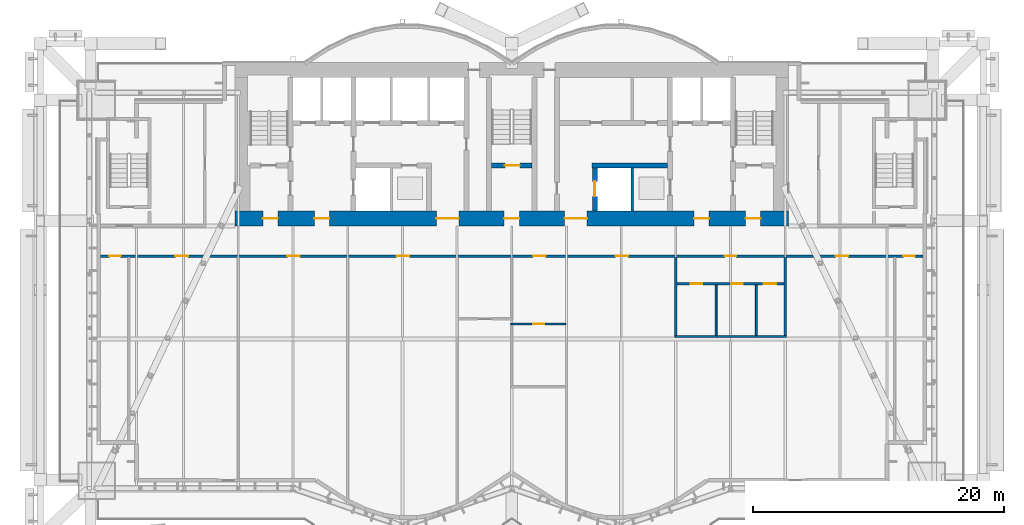
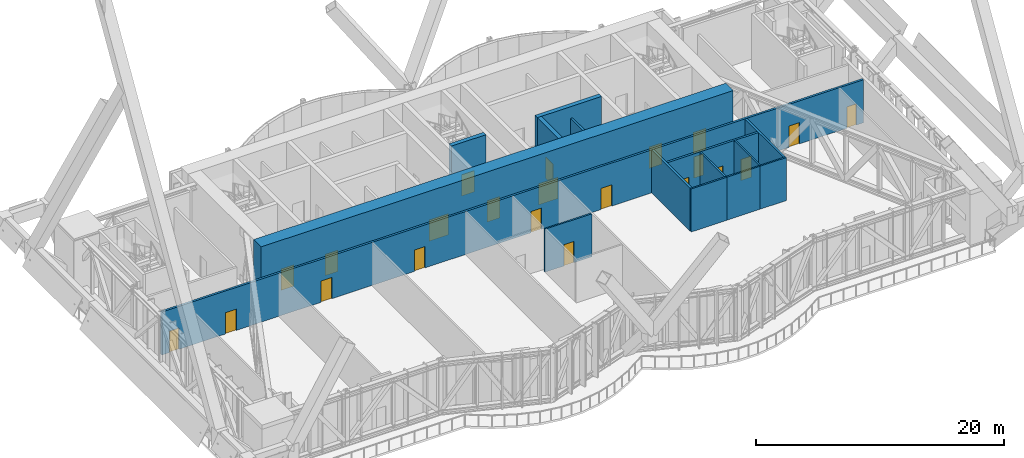
# One storey, part 25 of 32: 22 doors, 15 walls, 22 openings.
"""IFC4 building model written with IfcOpenShell, lengths in metres."""

import ifcopenshell
import ifcopenshell.guid

model = None  # the IFC model being written
_history = None  # IfcOwnerHistory: only IFC2X3 demands one
_inside = {}  # id of a spatial element -> (the spatial element, [elements in it])
_under = {}  # id of a project, library or spatial element -> (it, [spatial elements below it])
_declared = {}  # id of a project -> (the project, [libraries it declares])
_typed = {}  # id of a type object -> (the type object, [elements of that type])
_made_of = {}  # id of a material, layer set ... -> (it, [elements and type objects made of it])


def new_model(schema):
    """Start an empty IFC model of exactly this schema.

    Asked for "IFC4X3", IfcOpenShell would pick the latest addendum, in which some entities
    have other attributes; the version numbers below select the first issue.
    IFC2X3 requires an IfcOwnerHistory on every rooted entity: one is made here for all.
    """
    global model, _history
    if schema == "IFC4X3":
        model = ifcopenshell.file(schema_version=(4, 3, 0, 0))
    else:
        model = ifcopenshell.file(schema=schema)
    _inside.clear()
    _under.clear()
    _declared.clear()
    _typed.clear()
    _made_of.clear()
    _history = None
    if model.schema == "IFC2X3":
        org = make("IfcOrganization", Name="unknown")
        user = make(
            "IfcPersonAndOrganization",
            ThePerson=make("IfcPerson", FamilyName="unknown"),
            TheOrganization=org,
        )
        app = make(
            "IfcApplication",
            ApplicationDeveloper=org,
            Version="unknown",
            ApplicationFullName="unknown",
            ApplicationIdentifier="unknown",
        )
        _history = make(
            "IfcOwnerHistory",
            OwningUser=user,
            OwningApplication=app,
            ChangeAction="ADDED",
            CreationDate=0,
        )
    return model


def make(cls, **values):
    """One entity of the class cls with the attributes given. An attribute that is None is left unset."""
    return model.create_entity(
        cls, **{name: value for name, value in values.items() if value is not None}
    )


def rooted(cls, **values):
    """An entity with a GlobalId (a new one), such as an element, a storey or a relation."""
    return make(cls, GlobalId=ifcopenshell.guid.new(), OwnerHistory=_history, **values)


def si_unit(unit_type, name, prefix=None):
    """IfcSIUnit, for example si_unit("LENGTHUNIT", "METRE", prefix="MILLI")."""
    return make("IfcSIUnit", UnitType=unit_type, Prefix=prefix, Name=name)


def assignment(units):
    """IfcUnitAssignment: the units of a project."""
    return None if units is None else make("IfcUnitAssignment", Units=units)


def point(xyz):
    """IfcCartesianPoint."""
    return None if xyz is None else make("IfcCartesianPoint", Coordinates=xyz)


def direction(xyz):
    """IfcDirection."""
    return None if xyz is None else make("IfcDirection", DirectionRatios=xyz)


def frame(location, z_axis=None, x_axis=None):
    """IfcAxis2Placement3D, a coordinate frame: its origin and axes. An axis left out is left unset."""
    return make(
        "IfcAxis2Placement3D",
        Location=point(location),
        Axis=direction(z_axis),
        RefDirection=direction(x_axis),
    )


def frame_2d(location, x_axis=None):
    """IfcAxis2Placement2D, a coordinate frame in the plane: its origin and x axis."""
    return make(
        "IfcAxis2Placement2D", Location=point(location), RefDirection=direction(x_axis)
    )


def origin():
    """The frame at (0, 0, 0) with its axes left unset."""
    return frame((0.0, 0.0, 0.0))


def place(relative_to, where):
    """IfcLocalPlacement: puts the frame where relative to a parent placement (None: the world)."""
    return make(
        "IfcLocalPlacement", PlacementRelTo=relative_to, RelativePlacement=where
    )


def context(
    kind, dimensions, precision=None, world=None, true_north=None, identifier=None
):
    """IfcGeometricRepresentationContext, for example the 3D "Model" context."""
    return make(
        "IfcGeometricRepresentationContext",
        ContextIdentifier=identifier,
        ContextType=kind,
        CoordinateSpaceDimension=dimensions,
        Precision=precision,
        WorldCoordinateSystem=world,
        TrueNorth=true_north,
    )


def subcontext(parent, identifier, kind, view, scale=None):
    """IfcGeometricRepresentationSubContext, for example "Body" below "Model"."""
    return make(
        "IfcGeometricRepresentationSubContext",
        ContextIdentifier=identifier,
        ContextType=kind,
        ParentContext=parent,
        TargetScale=scale,
        TargetView=view,
    )


def project(units=None, contexts=None):
    """IfcProject with its units and contexts."""
    return rooted(
        "IfcProject",
        Name="project",
        RepresentationContexts=contexts,
        UnitsInContext=assignment(units),
    )


def spatial(cls, under=None, at=None, **own):
    """A site, building, storey or space (cls), placed at a placement, below another one or the project."""
    s = rooted(cls, ObjectPlacement=at, **own)
    if under is not None:
        _under.setdefault(under.id(), (under, []))[1].append(s)
    return s


def profile(cls, at=None, kind="AREA", **sizes):
    """A parametric profile (cls). Its sizes go by their IFC names, for example OverallWidth=200.0."""
    return make(cls, ProfileType=kind, Position=at, **sizes)


def rectangle(**sizes):
    """IfcRectangleProfileDef."""
    return profile("IfcRectangleProfileDef", **sizes)


def extrude(swept, where, along, depth):
    """IfcExtrudedAreaSolid: the profile swept, set in the frame where, extruded along a direction by depth."""
    return make(
        "IfcExtrudedAreaSolid",
        SweptArea=swept,
        Position=where,
        ExtrudedDirection=direction(along),
        Depth=depth,
    )


def shape(context_of_items, identifier, shape_type, items):
    """IfcShapeRepresentation: the items that make up one representation, for example the "Body"."""
    return make(
        "IfcShapeRepresentation",
        ContextOfItems=context_of_items,
        RepresentationIdentifier=identifier,
        RepresentationType=shape_type,
        Items=items,
    )


def material(Name=None, Category=None):
    """IfcMaterial."""
    return make("IfcMaterial", Name=Name, Category=Category)


def layer(
    of_material, thickness, ventilated=None, Name=None, Category=None, Priority=None
):
    """IfcMaterialLayer: one layer of a wall or slab, of a material (None: an air gap)."""
    return make(
        "IfcMaterialLayer",
        Material=of_material,
        LayerThickness=thickness,
        IsVentilated=ventilated,
        Name=Name,
        Category=Category,
        Priority=Priority,
    )


def layer_set(layers, Name=None):
    """IfcMaterialLayerSet."""
    return make("IfcMaterialLayerSet", MaterialLayers=layers, LayerSetName=Name)


def made_of(thing, what):
    """Note that an element or type object is made of a material, layer set ...; save() writes the relation."""
    if what is not None:
        _made_of.setdefault(what.id(), (what, []))[1].append(thing)
    return thing


def type_object(cls, material=None, **own):
    """A type object (cls), such as IfcWallType, which elements share."""
    return made_of(rooted(cls, **own), material)


def element(
    cls,
    number,
    at=None,
    inside=None,
    cuts=None,
    type_object=None,
    material=None,
    context=None,
    identifier="Body",
    shape_type=None,
    held_by="IfcProductDefinitionShape",
    body=None,
    shapes=None,
    **own,
):
    """One element of the class cls, such as IfcWall. Its Tag is "e" and its number.

    at: its placement. inside: the storey or other place that contains it. cuts: it is an
    opening in that element (IfcRelVoidsElement). A single representation is given by context,
    identifier, shape_type and body (its items); several are given by shapes. held_by: the class
    of the entity that holds the representations. save() writes the other relations.
    """
    e = rooted(cls, Tag="e%d" % number, ObjectPlacement=at, **own)
    if body is not None:
        shapes = [shape(context, identifier, shape_type, body)]
    if shapes is not None:
        e.Representation = make(held_by, Representations=shapes)
    if inside is not None:
        _inside.setdefault(inside.id(), (inside, []))[1].append(e)
    if cuts is not None:
        rooted(
            "IfcRelVoidsElement", RelatingBuildingElement=cuts, RelatedOpeningElement=e
        )
    if type_object is not None:
        _typed.setdefault(type_object.id(), (type_object, []))[1].append(e)
    return made_of(e, material)


def fill(opening, filler):
    """IfcRelFillsElement: the door or window that sits in an opening."""
    return rooted(
        "IfcRelFillsElement",
        RelatingOpeningElement=opening,
        RelatedBuildingElement=filler,
    )


def aggregate(whole, parts):
    """IfcRelAggregates: a whole, such as a stair, and the parts it consists of."""
    return rooted("IfcRelAggregates", RelatingObject=whole, RelatedObjects=parts)


def save(model, path):
    """Write the relations noted so far, then the file.

    IfcRelAggregates (storeys below a building ...), IfcRelContainedInSpatialStructure (elements
    in a storey), IfcRelDefinesByType, IfcRelAssociatesMaterial and IfcRelDeclares: one each for
    every whole, place, type object, material and project.
    """
    for whole, parts in _under.values():
        aggregate(whole, parts)
    for where, things in _inside.values():
        rooted(
            "IfcRelContainedInSpatialStructure",
            RelatedElements=things,
            RelatingStructure=where,
        )
    for kind, things in _typed.values():
        rooted("IfcRelDefinesByType", RelatedObjects=things, RelatingType=kind)
    for what, things in _made_of.values():
        rooted("IfcRelAssociatesMaterial", RelatedObjects=things, RelatingMaterial=what)
    for by, libraries in _declared.values():
        rooted("IfcRelDeclares", RelatingContext=by, RelatedDefinitions=libraries)
    model.write(path)


model = new_model("IFC4")

# Units and contexts
model_context = context("Model", 3, precision=1e-05, world=origin(), true_north=direction((0.0, 1.0)))
body_context = subcontext(model_context, "Body", "Model", "MODEL_VIEW")
ifc_project = project(units=[si_unit("LENGTHUNIT", "METRE"), si_unit("AREAUNIT", "SQUARE_METRE"), si_unit("VOLUMEUNIT", "CUBIC_METRE"), si_unit("PLANEANGLEUNIT", "RADIAN"), si_unit("MASSUNIT", "GRAM", prefix="KILO")], contexts=[model_context])

# Site, building, storey
site_placement = place(None, origin())
site = spatial("IfcSite", under=ifc_project, at=site_placement, CompositionType="ELEMENT")
building_placement = place(site_placement, origin())
building = spatial("IfcBuilding", under=site, at=building_placement, Name="Bicima Exchange Tower", CompositionType="ELEMENT")
storey_placement = place(building_placement, frame((0.0, 0.0, 135.0)))
storey = spatial("IfcBuildingStorey", under=building, at=storey_placement, Name="L29", CompositionType="ELEMENT", Elevation=135.0)

# Wall
ifc_material_1 = material(Name="Gypsum board partition")
ifc_layer_1 = layer(ifc_material_1, 0.199951171875)
ifc_layer_set_1 = layer_set([ifc_layer_1], Name="Gypsum board partition")
wall_type_1 = type_object("IfcWallType", Name="Fire-rated gypsum partition 200 EI120", PredefinedType="PARTITIONING", material=ifc_layer_set_1)
wall_1_placement = place(storey_placement, frame((9.60009765625, -11.800048828125, 0.0), z_axis=(0.0, 0.0, 1.0), x_axis=(0.0, 1.0, 0.0)))
element("IfcWall", 1, at=wall_1_placement, inside=storey, type_object=wall_type_1, Name="partition wall 20", PredefinedType="PARTITIONING", context=body_context, shape_type="SweptSolid", body=[
    extrude(rectangle(XDim=3.400146484375, YDim=0.199951171875, at=frame_2d((1.7001953125, 0.0))), origin(), (0.0, 0.0, 1.0), 4.239501953125),
])

# Wall, openings, doors
ifc_layer_2 = layer(ifc_material_1, 0.199951171875)
ifc_layer_set_2 = layer_set([ifc_layer_2], Name="Gypsum board partition")
wall_type_2 = type_object("IfcWallType", Name="Fire-rated gypsum partition 200 EI60", PredefinedType="PARTITIONING", material=ifc_layer_set_2)
wall_2_placement = place(storey_placement, frame((13.14990234375, -17.60009765625, 0.0), z_axis=(0.0, 0.0, 1.0), x_axis=(1.0, 0.0, 0.0)))
wall_2 = element("IfcWall", 2, at=wall_2_placement, inside=storey, type_object=wall_type_2, Name="partition wall 7", PredefinedType="PARTITIONING", context=body_context, shape_type="SweptSolid", body=[
    extrude(rectangle(XDim=8.5, YDim=0.199951171875, at=frame_2d((4.25, 0.0))), origin(), (0.0, 0.0, 1.0), 4.239501953125),
])
opening_1_placement = place(wall_2_placement, frame((1.10009765625, 0.0, 0.0)))
opening_1 = element("IfcOpeningElement", 3, at=opening_1_placement, cuts=wall_2, Name="Opening L29-016", PredefinedType="OPENING", context=body_context, shape_type="SweptSolid", body=[
    extrude(rectangle(XDim=0.89990234375, YDim=2.10009765625, at=frame_2d((0.449951171875, 1.050048828125))), frame((0.0, 0.11181640625, 0.0), z_axis=(0.0, -1.0, 0.0), x_axis=(1.0, 0.0, 0.0)), (0.0, 0.0, 1.0), 0.223876953125),
])
opening_2_placement = place(wall_2_placement, frame((4.300048828125, 0.0, 0.0)))
opening_2 = element("IfcOpeningElement", 4, at=opening_2_placement, cuts=wall_2, Name="Opening L29-017", PredefinedType="OPENING", context=body_context, shape_type="SweptSolid", body=[
    extrude(rectangle(XDim=0.89990234375, YDim=2.10009765625, at=frame_2d((0.449951171875, 1.050048828125))), frame((0.0, 0.11181640625, 0.0), z_axis=(0.0, -1.0, 0.0), x_axis=(1.0, 0.0, 0.0)), (0.0, 0.0, 1.0), 0.223876953125),
])
opening_3_placement = place(wall_2_placement, frame((6.89990234375, 0.0, 0.0)))
opening_3 = element("IfcOpeningElement", 5, at=opening_3_placement, cuts=wall_2, Name="Opening L29-018", PredefinedType="OPENING", context=body_context, shape_type="SweptSolid", body=[
    extrude(rectangle(XDim=1.0, YDim=2.10009765625, at=frame_2d((0.5, 1.050048828125))), frame((0.0, 0.11181640625, 0.0), z_axis=(0.0, -1.0, 0.0), x_axis=(1.0, 0.0, 0.0)), (0.0, 0.0, 1.0), 0.223876953125),
])
ifc_material_2 = material(Name="Steel fire door leaf", Category="steel")
door_type_1 = type_object("IfcDoorType", Name="Door 1000 swing FD30S", OperationType="SINGLE_SWING_LEFT", PredefinedType="DOOR", material=ifc_material_2)
door_1_placement = place(opening_3_placement, frame((1.0, 0.0, 0.0), z_axis=(0.0, 0.0, 1.0), x_axis=(-1.0, 0.0, 0.0)))
door_1 = element("IfcDoor", 6, at=door_1_placement, inside=storey, type_object=door_type_1, Name="Door", OperationType="SINGLE_SWING_RIGHT", OverallHeight=2.10009765625, OverallWidth=1.0, PredefinedType="DOOR", context=body_context, shape_type="SweptSolid", body=[
    extrude(rectangle(XDim=1.0, YDim=2.10009765625, at=frame_2d((0.5, 1.050048828125))), frame((0.0, 0.02490234375, 0.0), z_axis=(0.0, -1.0, 0.0), x_axis=(1.0, 0.0, 0.0)), (0.0, 0.0, 1.0), 0.050048828125),
])
fill(opening_3, door_1)
door_type_2 = type_object("IfcDoorType", Name="Door 900 swing FD30S", OperationType="SINGLE_SWING_LEFT", PredefinedType="DOOR", material=ifc_material_2)
door_2_placement = place(opening_1_placement, frame((0.89990234375, 0.0, 0.0), z_axis=(0.0, 0.0, 1.0), x_axis=(-1.0, 0.0, 0.0)))
door_2 = element("IfcDoor", 7, at=door_2_placement, inside=storey, type_object=door_type_2, Name="Door", OperationType="SINGLE_SWING_LEFT", OverallHeight=2.10009765625, OverallWidth=0.89990234375, PredefinedType="DOOR", context=body_context, shape_type="SweptSolid", body=[
    extrude(rectangle(XDim=0.89990234375, YDim=2.10009765625, at=frame_2d((0.449951171875, 1.050048828125))), frame((0.0, 0.02490234375, 0.0), z_axis=(0.0, -1.0, 0.0), x_axis=(1.0, 0.0, 0.0)), (0.0, 0.0, 1.0), 0.050048828125),
])
fill(opening_1, door_2)
door_3_placement = place(opening_2_placement, frame((0.89990234375, 0.0, 0.0), z_axis=(0.0, 0.0, 1.0), x_axis=(-1.0, 0.0, 0.0)))
door_3 = element("IfcDoor", 8, at=door_3_placement, inside=storey, type_object=door_type_2, Name="Door", OperationType="SINGLE_SWING_RIGHT", OverallHeight=2.10009765625, OverallWidth=0.89990234375, PredefinedType="DOOR", context=body_context, shape_type="SweptSolid", body=[
    extrude(rectangle(XDim=0.89990234375, YDim=2.10009765625, at=frame_2d((0.449951171875, 1.050048828125))), frame((0.0, 0.02490234375, 0.0), z_axis=(0.0, -1.0, 0.0), x_axis=(1.0, 0.0, 0.0)), (0.0, 0.0, 1.0), 0.050048828125),
])
fill(opening_2, door_3)

wall_3_placement = place(storey_placement, frame((-32.699951171875, -15.39990234375, 0.0), z_axis=(0.0, 0.0, 1.0), x_axis=(1.0, 0.0, 0.0)))
wall_3 = element("IfcWall", 9, at=wall_3_placement, inside=storey, type_object=wall_type_2, Name="partition wall 8", PredefinedType="PARTITIONING", context=body_context, shape_type="SweptSolid", body=[
    extrude(rectangle(XDim=65.39990234375, YDim=0.199951171875, at=frame_2d((32.699951171875, 0.0))), origin(), (0.0, 0.0, 1.0), 4.239501953125),
])
opening_4_placement = place(wall_3_placement, frame((0.699951171875, 0.0, 0.0)))
opening_4 = element("IfcOpeningElement", 10, at=opening_4_placement, cuts=wall_3, Name="Opening L29-007", PredefinedType="OPENING", context=body_context, shape_type="SweptSolid", body=[
    extrude(rectangle(XDim=0.89990234375, YDim=2.10009765625, at=frame_2d((0.449951171875, 1.050048828125))), frame((0.0, 0.11181640625, 0.0), z_axis=(0.0, -1.0, 0.0), x_axis=(1.0, 0.0, 0.0)), (0.0, 0.0, 1.0), 0.223876953125),
])
opening_5_placement = place(wall_3_placement, frame((5.949951171875, 0.0, 0.0)))
opening_5 = element("IfcOpeningElement", 11, at=opening_5_placement, cuts=wall_3, Name="Opening L29-008", PredefinedType="OPENING", context=body_context, shape_type="SweptSolid", body=[
    extrude(rectangle(XDim=1.0, YDim=2.10009765625, at=frame_2d((0.5, 1.050048828125))), frame((0.0, 0.11181640625, 0.0), z_axis=(0.0, -1.0, 0.0), x_axis=(1.0, 0.0, 0.0)), (0.0, 0.0, 1.0), 0.223876953125),
])
opening_6_placement = place(wall_3_placement, frame((14.85009765625, 0.0, 0.0)))
opening_6 = element("IfcOpeningElement", 12, at=opening_6_placement, cuts=wall_3, Name="Opening L29-009", PredefinedType="OPENING", context=body_context, shape_type="SweptSolid", body=[
    extrude(rectangle(XDim=1.0, YDim=2.10009765625, at=frame_2d((0.5, 1.050048828125))), frame((0.0, 0.11181640625, 0.0), z_axis=(0.0, -1.0, 0.0), x_axis=(1.0, 0.0, 0.0)), (0.0, 0.0, 1.0), 0.223876953125),
])
opening_7_placement = place(wall_3_placement, frame((23.550048828125, 0.0, 0.0)))
opening_7 = element("IfcOpeningElement", 13, at=opening_7_placement, cuts=wall_3, Name="Opening L29-010", PredefinedType="OPENING", context=body_context, shape_type="SweptSolid", body=[
    extrude(rectangle(XDim=1.0, YDim=2.10009765625, at=frame_2d((0.5, 1.050048828125))), frame((0.0, 0.11181640625, 0.0), z_axis=(0.0, -1.0, 0.0), x_axis=(1.0, 0.0, 0.0)), (0.0, 0.0, 1.0), 0.223876953125),
])
opening_8_placement = place(wall_3_placement, frame((34.39990234375, 0.0, 0.0)))
opening_8 = element("IfcOpeningElement", 14, at=opening_8_placement, cuts=wall_3, Name="Opening L29-011", PredefinedType="OPENING", context=body_context, shape_type="SweptSolid", body=[
    extrude(rectangle(XDim=1.0, YDim=2.10009765625, at=frame_2d((0.5, 1.050048828125))), frame((0.0, 0.11181640625, 0.0), z_axis=(0.0, -1.0, 0.0), x_axis=(1.0, 0.0, 0.0)), (0.0, 0.0, 1.0), 0.223876953125),
])
opening_9_placement = place(wall_3_placement, frame((40.949951171875, 0.0, 0.0)))
opening_9 = element("IfcOpeningElement", 15, at=opening_9_placement, cuts=wall_3, Name="Opening L29-014", PredefinedType="OPENING", context=body_context, shape_type="SweptSolid", body=[
    extrude(rectangle(XDim=1.0, YDim=2.10009765625, at=frame_2d((0.5, 1.050048828125))), frame((0.0, 0.11181640625, 0.0), z_axis=(0.0, -1.0, 0.0), x_axis=(1.0, 0.0, 0.0)), (0.0, 0.0, 1.0), 0.223876953125),
])
opening_10_placement = place(wall_3_placement, frame((49.64990234375, 0.0, 0.0)))
opening_10 = element("IfcOpeningElement", 16, at=opening_10_placement, cuts=wall_3, Name="Opening L29-015", PredefinedType="OPENING", context=body_context, shape_type="SweptSolid", body=[
    extrude(rectangle(XDim=0.89990234375, YDim=2.10009765625, at=frame_2d((0.449951171875, 1.050048828125))), frame((0.0, 0.11181640625, 0.0), z_axis=(0.0, -1.0, 0.0), x_axis=(1.0, 0.0, 0.0)), (0.0, 0.0, 1.0), 0.223876953125),
])
opening_11_placement = place(wall_3_placement, frame((58.449951171875, 0.0, 0.0)))
opening_11 = element("IfcOpeningElement", 17, at=opening_11_placement, cuts=wall_3, Name="Opening L29-019", PredefinedType="OPENING", context=body_context, shape_type="SweptSolid", body=[
    extrude(rectangle(XDim=1.0, YDim=2.10009765625, at=frame_2d((0.5, 1.050048828125))), frame((0.0, 0.11181640625, 0.0), z_axis=(0.0, -1.0, 0.0), x_axis=(1.0, 0.0, 0.0)), (0.0, 0.0, 1.0), 0.223876953125),
])
opening_12_placement = place(wall_3_placement, frame((63.85009765625, 0.0, 0.0)))
opening_12 = element("IfcOpeningElement", 18, at=opening_12_placement, cuts=wall_3, Name="Opening L29-020", PredefinedType="OPENING", context=body_context, shape_type="SweptSolid", body=[
    extrude(rectangle(XDim=0.89990234375, YDim=2.10009765625, at=frame_2d((0.449951171875, 1.050048828125))), frame((0.0, 0.11181640625, 0.0), z_axis=(0.0, -1.0, 0.0), x_axis=(1.0, 0.0, 0.0)), (0.0, 0.0, 1.0), 0.223876953125),
])
door_4_placement = place(opening_5_placement, frame((1.0, 0.0, 0.0), z_axis=(0.0, 0.0, 1.0), x_axis=(-1.0, 0.0, 0.0)))
door_4 = element("IfcDoor", 19, at=door_4_placement, inside=storey, type_object=door_type_1, Name="Door", OperationType="SINGLE_SWING_RIGHT", OverallHeight=2.10009765625, OverallWidth=1.0, PredefinedType="DOOR", context=body_context, shape_type="SweptSolid", body=[
    extrude(rectangle(XDim=1.0, YDim=2.10009765625, at=frame_2d((0.5, 1.050048828125))), frame((0.0, 0.02490234375, 0.0), z_axis=(0.0, -1.0, 0.0), x_axis=(1.0, 0.0, 0.0)), (0.0, 0.0, 1.0), 0.050048828125),
])
fill(opening_5, door_4)
door_5_placement = place(opening_6_placement, frame((1.0, 0.0, 0.0), z_axis=(0.0, 0.0, 1.0), x_axis=(-1.0, 0.0, 0.0)))
door_5 = element("IfcDoor", 20, at=door_5_placement, inside=storey, type_object=door_type_1, Name="Door", OperationType="SINGLE_SWING_RIGHT", OverallHeight=2.10009765625, OverallWidth=1.0, PredefinedType="DOOR", context=body_context, shape_type="SweptSolid", body=[
    extrude(rectangle(XDim=1.0, YDim=2.10009765625, at=frame_2d((0.5, 1.050048828125))), frame((0.0, 0.02490234375, 0.0), z_axis=(0.0, -1.0, 0.0), x_axis=(1.0, 0.0, 0.0)), (0.0, 0.0, 1.0), 0.050048828125),
])
fill(opening_6, door_5)
door_6_placement = place(opening_7_placement, frame((1.0, 0.0, 0.0), z_axis=(0.0, 0.0, 1.0), x_axis=(-1.0, 0.0, 0.0)))
door_6 = element("IfcDoor", 21, at=door_6_placement, inside=storey, type_object=door_type_1, Name="Door", OperationType="SINGLE_SWING_LEFT", OverallHeight=2.10009765625, OverallWidth=1.0, PredefinedType="DOOR", context=body_context, shape_type="SweptSolid", body=[
    extrude(rectangle(XDim=1.0, YDim=2.10009765625, at=frame_2d((0.5, 1.050048828125))), frame((0.0, 0.02490234375, 0.0), z_axis=(0.0, -1.0, 0.0), x_axis=(1.0, 0.0, 0.0)), (0.0, 0.0, 1.0), 0.050048828125),
])
fill(opening_7, door_6)
door_7_placement = place(opening_8_placement, frame((1.0, 0.0, 0.0), z_axis=(0.0, 0.0, 1.0), x_axis=(-1.0, 0.0, 0.0)))
door_7 = element("IfcDoor", 22, at=door_7_placement, inside=storey, type_object=door_type_1, Name="Door", OperationType="SINGLE_SWING_RIGHT", OverallHeight=2.10009765625, OverallWidth=1.0, PredefinedType="DOOR", context=body_context, shape_type="SweptSolid", body=[
    extrude(rectangle(XDim=1.0, YDim=2.10009765625, at=frame_2d((0.5, 1.050048828125))), frame((0.0, 0.02490234375, 0.0), z_axis=(0.0, -1.0, 0.0), x_axis=(1.0, 0.0, 0.0)), (0.0, 0.0, 1.0), 0.050048828125),
])
fill(opening_8, door_7)
door_8_placement = place(opening_9_placement, frame((1.0, 0.0, 0.0), z_axis=(0.0, 0.0, 1.0), x_axis=(-1.0, 0.0, 0.0)))
door_8 = element("IfcDoor", 23, at=door_8_placement, inside=storey, type_object=door_type_1, Name="Door", OperationType="SINGLE_SWING_RIGHT", OverallHeight=2.10009765625, OverallWidth=1.0, PredefinedType="DOOR", context=body_context, shape_type="SweptSolid", body=[
    extrude(rectangle(XDim=1.0, YDim=2.10009765625, at=frame_2d((0.5, 1.050048828125))), frame((0.0, 0.02490234375, 0.0), z_axis=(0.0, -1.0, 0.0), x_axis=(1.0, 0.0, 0.0)), (0.0, 0.0, 1.0), 0.050048828125),
])
fill(opening_9, door_8)
door_9_placement = place(opening_11_placement, frame((1.0, 0.0, 0.0), z_axis=(0.0, 0.0, 1.0), x_axis=(-1.0, 0.0, 0.0)))
door_9 = element("IfcDoor", 24, at=door_9_placement, inside=storey, type_object=door_type_1, Name="Door", OperationType="SINGLE_SWING_LEFT", OverallHeight=2.10009765625, OverallWidth=1.0, PredefinedType="DOOR", context=body_context, shape_type="SweptSolid", body=[
    extrude(rectangle(XDim=1.0, YDim=2.10009765625, at=frame_2d((0.5, 1.050048828125))), frame((0.0, 0.02490234375, 0.0), z_axis=(0.0, -1.0, 0.0), x_axis=(1.0, 0.0, 0.0)), (0.0, 0.0, 1.0), 0.050048828125),
])
fill(opening_11, door_9)
door_10_placement = place(opening_4_placement, frame((0.89990234375, 0.0, 0.0), z_axis=(0.0, 0.0, 1.0), x_axis=(-1.0, 0.0, 0.0)))
door_10 = element("IfcDoor", 25, at=door_10_placement, inside=storey, type_object=door_type_2, Name="Door", OperationType="SINGLE_SWING_LEFT", OverallHeight=2.10009765625, OverallWidth=0.89990234375, PredefinedType="DOOR", context=body_context, shape_type="SweptSolid", body=[
    extrude(rectangle(XDim=0.89990234375, YDim=2.10009765625, at=frame_2d((0.449951171875, 1.050048828125))), frame((0.0, 0.02490234375, 0.0), z_axis=(0.0, -1.0, 0.0), x_axis=(1.0, 0.0, 0.0)), (0.0, 0.0, 1.0), 0.050048828125),
])
fill(opening_4, door_10)
door_11_placement = place(opening_10_placement, frame((0.89990234375, 0.0, 0.0), z_axis=(0.0, 0.0, 1.0), x_axis=(-1.0, 0.0, 0.0)))
door_11 = element("IfcDoor", 26, at=door_11_placement, inside=storey, type_object=door_type_2, Name="Door", OperationType="SINGLE_SWING_RIGHT", OverallHeight=2.10009765625, OverallWidth=0.89990234375, PredefinedType="DOOR", context=body_context, shape_type="SweptSolid", body=[
    extrude(rectangle(XDim=0.89990234375, YDim=2.10009765625, at=frame_2d((0.449951171875, 1.050048828125))), frame((0.0, 0.02490234375, 0.0), z_axis=(0.0, -1.0, 0.0), x_axis=(1.0, 0.0, 0.0)), (0.0, 0.0, 1.0), 0.050048828125),
])
fill(opening_10, door_11)
door_12_placement = place(opening_12_placement, frame((0.89990234375, 0.0, 0.0), z_axis=(0.0, 0.0, 1.0), x_axis=(-1.0, 0.0, 0.0)))
door_12 = element("IfcDoor", 27, at=door_12_placement, inside=storey, type_object=door_type_2, Name="Door", OperationType="SINGLE_SWING_RIGHT", OverallHeight=2.10009765625, OverallWidth=0.89990234375, PredefinedType="DOOR", context=body_context, shape_type="SweptSolid", body=[
    extrude(rectangle(XDim=0.89990234375, YDim=2.10009765625, at=frame_2d((0.449951171875, 1.050048828125))), frame((0.0, 0.02490234375, 0.0), z_axis=(0.0, -1.0, 0.0), x_axis=(1.0, 0.0, 0.0)), (0.0, 0.0, 1.0), 0.050048828125),
])
fill(opening_12, door_12)

# Walls
for number, where, z_axis, x_axis, name in (
    (28, (13.050048828125, -21.72509765625, 0.0), (0.0, 0.0, 1.0), (0.0, 1.0, 0.0), "partition wall 25"),
    (29, (21.75, -21.72509765625, 0.0), (0.0, 0.0, 1.0), (0.0, 1.0, 0.0), "partition wall 28"),
):
    element("IfcWall", number, at=place(storey_placement, frame(where, z_axis=z_axis, x_axis=x_axis)), inside=storey, type_object=wall_type_2, Name=name, PredefinedType="PARTITIONING", context=body_context, shape_type="SweptSolid", body=[
        extrude(rectangle(XDim=6.22509765625, YDim=0.199951171875, at=frame_2d((3.112548828125, 0.0))), origin(), (0.0, 0.0, 1.0), 4.239501953125),
    ])
ifc_layer_3 = layer(ifc_material_1, 0.14990234375)
ifc_layer_set_3 = layer_set([ifc_layer_3], Name="Gypsum board partition")
wall_type_3 = type_object("IfcWallType", Name="Gypsum partition 150", PredefinedType="PARTITIONING", material=ifc_layer_set_3)
wall_4_placement = place(storey_placement, frame((12.969970703125, -21.800048828125, 0.0), z_axis=(0.0, 0.0, 1.0), x_axis=(1.0, 0.0, 0.0)))
element("IfcWall", 30, at=wall_4_placement, inside=storey, type_object=wall_type_3, Name="partition wall 2", PredefinedType="PARTITIONING", context=body_context, shape_type="SweptSolid", body=[
    extrude(rectangle(XDim=3.3349609375, YDim=0.14990234375, at=frame_2d((1.66748046875, 0.0))), origin(), (0.0, 0.0, 1.0), 4.239501953125),
])
wall_5_placement = place(storey_placement, frame((16.195068359375, -21.800048828125, 0.0), z_axis=(0.0, 0.0, 1.0), x_axis=(1.0, 0.0, 0.0)))
element("IfcWall", 31, at=wall_5_placement, inside=storey, type_object=wall_type_3, Name="partition wall 3", PredefinedType="PARTITIONING", context=body_context, shape_type="SweptSolid", body=[
    extrude(rectangle(XDim=3.309814453125, YDim=0.14990234375, at=frame_2d((1.65478515625, 0.0))), origin(), (0.0, 0.0, 1.0), 4.239501953125),
])
wall_6_placement = place(storey_placement, frame((19.39501953125, -21.800048828125, 0.0), z_axis=(0.0, 0.0, 1.0), x_axis=(1.0, 0.0, 0.0)))
element("IfcWall", 32, at=wall_6_placement, inside=storey, type_object=wall_type_3, Name="partition wall 4", PredefinedType="PARTITIONING", context=body_context, shape_type="SweptSolid", body=[
    extrude(rectangle(XDim=2.43505859375, YDim=0.14990234375, at=frame_2d((1.217529296875, 0.0))), origin(), (0.0, 0.0, 1.0), 4.239501953125),
])

# Wall, opening, door
wall_7_placement = place(storey_placement, frame((-0.074951171875, -20.800048828125, 0.0), z_axis=(0.0, 0.0, 1.0), x_axis=(1.0, 0.0, 0.0)))
wall_7 = element("IfcWall", 33, at=wall_7_placement, inside=storey, type_object=wall_type_3, Name="partition wall 5", PredefinedType="PARTITIONING", context=body_context, shape_type="SweptSolid", body=[
    extrude(rectangle(XDim=4.349853515625, YDim=0.14990234375, at=frame_2d((2.1748046875, 0.0))), origin(), (0.0, 0.0, 1.0), 4.239501953125),
])
opening_13_placement = place(wall_7_placement, frame((1.77490234375, 0.0, 0.0)))
opening_13 = element("IfcOpeningElement", 34, at=opening_13_placement, cuts=wall_7, Name="Opening L29-013", PredefinedType="OPENING", context=body_context, shape_type="SweptSolid", body=[
    extrude(rectangle(XDim=0.89990234375, YDim=2.10009765625, at=frame_2d((0.449951171875, 1.050048828125))), frame((0.0, 0.0869140625, 0.0), z_axis=(0.0, -1.0, 0.0), x_axis=(1.0, 0.0, 0.0)), (0.0, 0.0, 1.0), 0.173828125),
])
ifc_material_3 = material(Name="Timber door leaf", Category="wood")
door_type_3 = type_object("IfcDoorType", Name="Door 900 swing", OperationType="SINGLE_SWING_LEFT", PredefinedType="DOOR", material=ifc_material_3)
door_13_placement = place(opening_13_placement, frame((0.89990234375, 0.0, 0.0), z_axis=(0.0, 0.0, 1.0), x_axis=(-1.0, 0.0, 0.0)))
door_13 = element("IfcDoor", 35, at=door_13_placement, inside=storey, type_object=door_type_3, Name="Door", OperationType="SINGLE_SWING_LEFT", OverallHeight=2.10009765625, OverallWidth=0.89990234375, PredefinedType="DOOR", context=body_context, shape_type="SweptSolid", body=[
    extrude(rectangle(XDim=0.89990234375, YDim=2.10009765625, at=frame_2d((0.449951171875, 1.050048828125))), frame((0.0, 0.02490234375, 0.0), z_axis=(0.0, -1.0, 0.0), x_axis=(1.0, 0.0, 0.0)), (0.0, 0.0, 1.0), 0.050048828125),
])
fill(opening_13, door_13)

# Walls
for number, where, z_axis, x_axis, name in (
    (36, (16.25, -21.72509765625, 0.0), (0.0, 0.0, 1.0), (0.0, 1.0, 0.0), "partition wall 26"),
    (37, (19.449951171875, -21.72509765625, 0.0), (0.0, 0.0, 1.0), (0.0, 1.0, 0.0), "partition wall 27"),
):
    element("IfcWall", number, at=place(storey_placement, frame(where, z_axis=z_axis, x_axis=x_axis)), inside=storey, type_object=wall_type_3, Name=name, PredefinedType="PARTITIONING", context=body_context, shape_type="SweptSolid", body=[
        extrude(rectangle(XDim=4.025146484375, YDim=0.14990234375, at=frame_2d((2.0126953125, 0.0))), origin(), (0.0, 0.0, 1.0), 4.239501953125),
    ])

# Wall, openings, doors
ifc_material_4 = material(Name="Concrete C60/75", Category="concrete")
ifc_layer_4 = layer(ifc_material_4, 1.199951171875)
ifc_layer_set_4 = layer_set([ifc_layer_4], Name="Concrete C60/75")
wall_type_4 = type_object("IfcWallType", Name="RC core wall 1200 C60/75", PredefinedType="SHEAR", material=ifc_layer_set_4)
wall_8_placement = place(storey_placement, frame((-22.0, -12.39990234375, 0.0), z_axis=(0.0, 0.0, 1.0), x_axis=(1.0, 0.0, 0.0)))
wall_8 = element("IfcWall", 38, at=wall_8_placement, inside=storey, type_object=wall_type_4, Name="Core wall south", PredefinedType="SHEAR", context=body_context, shape_type="SweptSolid", body=[
    extrude(rectangle(XDim=44.0, YDim=1.199951171875, at=frame_2d((22.0, 0.0))), origin(), (0.0, 0.0, 1.0), 5.39990234375),
])
opening_14_placement = place(wall_8_placement, frame((2.199951171875, 0.0, 0.0)))
opening_14 = element("IfcOpeningElement", 39, at=opening_14_placement, cuts=wall_8, Name="Opening L29-C16", PredefinedType="OPENING", context=body_context, shape_type="SweptSolid", body=[
    extrude(rectangle(XDim=1.199951171875, YDim=2.10009765625, at=frame_2d((0.60009765625, 1.050048828125))), frame((0.0, 0.61181640625, 0.0), z_axis=(0.0, -1.0, 0.0), x_axis=(1.0, 0.0, 0.0)), (0.0, 0.0, 1.0), 1.223876953125),
])
opening_15_placement = place(wall_8_placement, frame((21.39990234375, 0.0, 0.0)))
opening_15 = element("IfcOpeningElement", 40, at=opening_15_placement, cuts=wall_8, Name="Opening L29-C17", PredefinedType="OPENING", context=body_context, shape_type="SweptSolid", body=[
    extrude(rectangle(XDim=1.199951171875, YDim=2.10009765625, at=frame_2d((0.60009765625, 1.050048828125))), frame((0.0, 0.61181640625, 0.0), z_axis=(0.0, -1.0, 0.0), x_axis=(1.0, 0.0, 0.0)), (0.0, 0.0, 1.0), 1.223876953125),
])
opening_16_placement = place(wall_8_placement, frame((40.60009765625, 0.0, 0.0)))
opening_16 = element("IfcOpeningElement", 41, at=opening_16_placement, cuts=wall_8, Name="Opening L29-C18", PredefinedType="OPENING", context=body_context, shape_type="SweptSolid", body=[
    extrude(rectangle(XDim=1.199951171875, YDim=2.10009765625, at=frame_2d((0.60009765625, 1.050048828125))), frame((0.0, 0.61181640625, 0.0), z_axis=(0.0, -1.0, 0.0), x_axis=(1.0, 0.0, 0.0)), (0.0, 0.0, 1.0), 1.223876953125),
])
opening_17_placement = place(wall_8_placement, frame((16.0, 0.0, 0.0)))
opening_17 = element("IfcOpeningElement", 42, at=opening_17_placement, cuts=wall_8, Name="Opening L29-C19", PredefinedType="OPENING", context=body_context, shape_type="SweptSolid", body=[
    extrude(rectangle(XDim=1.800048828125, YDim=2.10009765625, at=frame_2d((0.89990234375, 1.050048828125))), frame((0.0, 0.61181640625, 0.0), z_axis=(0.0, -1.0, 0.0), x_axis=(1.0, 0.0, 0.0)), (0.0, 0.0, 1.0), 1.223876953125),
])
opening_18_placement = place(wall_8_placement, frame((6.300048828125, 0.0, 0.0)))
opening_18 = element("IfcOpeningElement", 43, at=opening_18_placement, cuts=wall_8, Name="Opening L29-C20", PredefinedType="OPENING", context=body_context, shape_type="SweptSolid", body=[
    extrude(rectangle(XDim=1.199951171875, YDim=2.10009765625, at=frame_2d((0.60009765625, 1.050048828125))), frame((0.0, 0.61181640625, 0.0), z_axis=(0.0, -1.0, 0.0), x_axis=(1.0, 0.0, 0.0)), (0.0, 0.0, 1.0), 1.223876953125),
])
opening_19_placement = place(wall_8_placement, frame((26.199951171875, 0.0, 0.0)))
opening_19 = element("IfcOpeningElement", 44, at=opening_19_placement, cuts=wall_8, Name="Opening L29-C21", PredefinedType="OPENING", context=body_context, shape_type="SweptSolid", body=[
    extrude(rectangle(XDim=1.800048828125, YDim=2.10009765625, at=frame_2d((0.89990234375, 1.050048828125))), frame((0.0, 0.61181640625, 0.0), z_axis=(0.0, -1.0, 0.0), x_axis=(1.0, 0.0, 0.0)), (0.0, 0.0, 1.0), 1.223876953125),
])
opening_20_placement = place(wall_8_placement, frame((36.5, 0.0, 0.0)))
opening_20 = element("IfcOpeningElement", 45, at=opening_20_placement, cuts=wall_8, Name="Opening L29-C22", PredefinedType="OPENING", context=body_context, shape_type="SweptSolid", body=[
    extrude(rectangle(XDim=1.199951171875, YDim=2.10009765625, at=frame_2d((0.60009765625, 1.050048828125))), frame((0.0, 0.61181640625, 0.0), z_axis=(0.0, -1.0, 0.0), x_axis=(1.0, 0.0, 0.0)), (0.0, 0.0, 1.0), 1.223876953125),
])
door_type_4 = type_object("IfcDoorType", Name="Door 1200 swing FD60S", OperationType="SINGLE_SWING_LEFT", PredefinedType="DOOR", material=ifc_material_2)
door_14_placement = place(opening_14_placement, frame((1.199951171875, 0.0, 0.0), z_axis=(0.0, 0.0, 1.0), x_axis=(-1.0, 0.0, 0.0)))
door_14 = element("IfcDoor", 46, at=door_14_placement, inside=storey, type_object=door_type_4, Name="Core door", OperationType="SINGLE_SWING_RIGHT", OverallHeight=2.10009765625, OverallWidth=1.199951171875, PredefinedType="DOOR", context=body_context, shape_type="SweptSolid", body=[
    extrude(rectangle(XDim=1.199951171875, YDim=2.10009765625, at=frame_2d((0.60009765625, 1.050048828125))), frame((0.0, 0.02490234375, 0.0), z_axis=(0.0, -1.0, 0.0), x_axis=(1.0, 0.0, 0.0)), (0.0, 0.0, 1.0), 0.050048828125),
])
fill(opening_14, door_14)
door_15_placement = place(opening_15_placement, frame((1.199951171875, 0.0, 0.0), z_axis=(0.0, 0.0, 1.0), x_axis=(-1.0, 0.0, 0.0)))
door_15 = element("IfcDoor", 47, at=door_15_placement, inside=storey, type_object=door_type_4, Name="Core door", OperationType="SINGLE_SWING_RIGHT", OverallHeight=2.10009765625, OverallWidth=1.199951171875, PredefinedType="DOOR", context=body_context, shape_type="SweptSolid", body=[
    extrude(rectangle(XDim=1.199951171875, YDim=2.10009765625, at=frame_2d((0.60009765625, 1.050048828125))), frame((0.0, 0.02490234375, 0.0), z_axis=(0.0, -1.0, 0.0), x_axis=(1.0, 0.0, 0.0)), (0.0, 0.0, 1.0), 0.050048828125),
])
fill(opening_15, door_15)
door_16_placement = place(opening_16_placement, frame((1.199951171875, 0.0, 0.0), z_axis=(0.0, 0.0, 1.0), x_axis=(-1.0, 0.0, 0.0)))
door_16 = element("IfcDoor", 48, at=door_16_placement, inside=storey, type_object=door_type_4, Name="Core door", OperationType="SINGLE_SWING_RIGHT", OverallHeight=2.10009765625, OverallWidth=1.199951171875, PredefinedType="DOOR", context=body_context, shape_type="SweptSolid", body=[
    extrude(rectangle(XDim=1.199951171875, YDim=2.10009765625, at=frame_2d((0.60009765625, 1.050048828125))), frame((0.0, 0.02490234375, 0.0), z_axis=(0.0, -1.0, 0.0), x_axis=(1.0, 0.0, 0.0)), (0.0, 0.0, 1.0), 0.050048828125),
])
fill(opening_16, door_16)
door_17_placement = place(opening_18_placement, frame((1.199951171875, 0.0, 0.0), z_axis=(0.0, 0.0, 1.0), x_axis=(-1.0, 0.0, 0.0)))
door_17 = element("IfcDoor", 49, at=door_17_placement, inside=storey, type_object=door_type_4, Name="Core door", OperationType="SINGLE_SWING_RIGHT", OverallHeight=2.10009765625, OverallWidth=1.199951171875, PredefinedType="DOOR", context=body_context, shape_type="SweptSolid", body=[
    extrude(rectangle(XDim=1.199951171875, YDim=2.10009765625, at=frame_2d((0.60009765625, 1.050048828125))), frame((0.0, 0.02490234375, 0.0), z_axis=(0.0, -1.0, 0.0), x_axis=(1.0, 0.0, 0.0)), (0.0, 0.0, 1.0), 0.050048828125),
])
fill(opening_18, door_17)
door_18_placement = place(opening_20_placement, frame((1.199951171875, 0.0, 0.0), z_axis=(0.0, 0.0, 1.0), x_axis=(-1.0, 0.0, 0.0)))
door_18 = element("IfcDoor", 50, at=door_18_placement, inside=storey, type_object=door_type_4, Name="Core door", OperationType="SINGLE_SWING_RIGHT", OverallHeight=2.10009765625, OverallWidth=1.199951171875, PredefinedType="DOOR", context=body_context, shape_type="SweptSolid", body=[
    extrude(rectangle(XDim=1.199951171875, YDim=2.10009765625, at=frame_2d((0.60009765625, 1.050048828125))), frame((0.0, 0.02490234375, 0.0), z_axis=(0.0, -1.0, 0.0), x_axis=(1.0, 0.0, 0.0)), (0.0, 0.0, 1.0), 0.050048828125),
])
fill(opening_20, door_18)
door_type_5 = type_object("IfcDoorType", Name="Door 1800 double swing FD30S", OperationType="DOUBLE_DOOR_SINGLE_SWING", PredefinedType="DOOR", material=ifc_material_2)
door_19_placement = place(opening_17_placement, origin())
door_19 = element("IfcDoor", 51, at=door_19_placement, inside=storey, type_object=door_type_5, Name="Core door", OperationType="SINGLE_SWING_LEFT", OverallHeight=2.10009765625, OverallWidth=1.800048828125, PredefinedType="DOOR", context=body_context, shape_type="SweptSolid", body=[
    extrude(rectangle(XDim=1.800048828125, YDim=2.10009765625, at=frame_2d((0.89990234375, 1.050048828125))), frame((0.0, 0.02490234375, 0.0), z_axis=(0.0, -1.0, 0.0), x_axis=(1.0, 0.0, 0.0)), (0.0, 0.0, 1.0), 0.050048828125),
])
fill(opening_17, door_19)
door_20_placement = place(opening_19_placement, origin())
door_20 = element("IfcDoor", 52, at=door_20_placement, inside=storey, type_object=door_type_5, Name="Core door", OperationType="SINGLE_SWING_LEFT", OverallHeight=2.10009765625, OverallWidth=1.800048828125, PredefinedType="DOOR", context=body_context, shape_type="SweptSolid", body=[
    extrude(rectangle(XDim=1.800048828125, YDim=2.10009765625, at=frame_2d((0.89990234375, 1.050048828125))), frame((0.0, 0.02490234375, 0.0), z_axis=(0.0, -1.0, 0.0), x_axis=(1.0, 0.0, 0.0)), (0.0, 0.0, 1.0), 0.050048828125),
])
fill(opening_19, door_20)

# Wall, opening, door
ifc_material_5 = material(Name="Concrete C50/60", Category="concrete")
ifc_layer_5 = layer(ifc_material_5, 0.39990234375)
ifc_layer_set_5 = layer_set([ifc_layer_5], Name="Concrete C50/60")
wall_type_5 = type_object("IfcWallType", Name="RC core wall 400 C50/60", PredefinedType="SHEAR", material=ifc_layer_set_5)
wall_9_placement = place(storey_placement, frame((-1.60009765625, -8.199951171875, 0.0), z_axis=(0.0, 0.0, 1.0), x_axis=(1.0, 0.0, 0.0)))
wall_9 = element("IfcWall", 53, at=wall_9_placement, inside=storey, type_object=wall_type_5, Name="stair wall 3", PredefinedType="SHEAR", context=body_context, shape_type="SweptSolid", body=[
    extrude(rectangle(XDim=3.2001953125, YDim=0.39990234375, at=frame_2d((1.60009765625, 0.0))), origin(), (0.0, 0.0, 1.0), 5.39990234375),
])
opening_21_placement = place(wall_9_placement, frame((1.050048828125, 0.0, 0.0)))
opening_21 = element("IfcOpeningElement", 54, at=opening_21_placement, cuts=wall_9, Name="Opening L29-C03", PredefinedType="OPENING", context=body_context, shape_type="SweptSolid", body=[
    extrude(rectangle(XDim=1.199951171875, YDim=2.10009765625, at=frame_2d((0.60009765625, 1.050048828125))), frame((0.0, 0.2119140625, 0.0), z_axis=(0.0, -1.0, 0.0), x_axis=(1.0, 0.0, 0.0)), (0.0, 0.0, 1.0), 0.423828125),
])
door_21_placement = place(opening_21_placement, origin())
door_21 = element("IfcDoor", 55, at=door_21_placement, inside=storey, type_object=door_type_4, Name="Core door", OperationType="SINGLE_SWING_LEFT", OverallHeight=2.10009765625, OverallWidth=1.199951171875, PredefinedType="DOOR", context=body_context, shape_type="SweptSolid", body=[
    extrude(rectangle(XDim=1.199951171875, YDim=2.10009765625, at=frame_2d((0.60009765625, 1.050048828125))), frame((0.0, 0.02490234375, 0.0), z_axis=(0.0, -1.0, 0.0), x_axis=(1.0, 0.0, 0.0)), (0.0, 0.0, 1.0), 0.050048828125),
])
fill(opening_21, door_21)

# Wall
ifc_layer_6 = layer(ifc_material_4, 0.39990234375)
ifc_layer_set_6 = layer_set([ifc_layer_6], Name="Concrete C60/75")
wall_type_6 = type_object("IfcWallType", Name="RC core wall 400 C60/75", PredefinedType="SHEAR", material=ifc_layer_set_6)
wall_10_placement = place(storey_placement, frame((6.39990234375, -8.199951171875, 0.0), z_axis=(0.0, 0.0, 1.0), x_axis=(1.0, 0.0, 0.0)))
element("IfcWall", 56, at=wall_10_placement, inside=storey, type_object=wall_type_6, Name="shear wall 4", PredefinedType="SHEAR", context=body_context, shape_type="SweptSolid", body=[
    extrude(rectangle(XDim=6.0, YDim=0.39990234375, at=frame_2d((3.0, 0.0))), origin(), (0.0, 0.0, 1.0), 5.39990234375),
])

# Wall, opening, door
wall_11_placement = place(storey_placement, frame((6.60009765625, -11.800048828125, 0.0), z_axis=(0.0, 0.0, 1.0), x_axis=(0.0, 1.0, 0.0)))
wall_11 = element("IfcWall", 57, at=wall_11_placement, inside=storey, type_object=wall_type_6, Name="shear wall 19", PredefinedType="SHEAR", context=body_context, shape_type="SweptSolid", body=[
    extrude(rectangle(XDim=3.400146484375, YDim=0.39990234375, at=frame_2d((1.7001953125, 0.0))), origin(), (0.0, 0.0, 1.0), 5.39990234375),
])
opening_22_placement = place(wall_11_placement, frame((1.14990234375, 0.0, 0.0)))
opening_22 = element("IfcOpeningElement", 58, at=opening_22_placement, cuts=wall_11, Name="Opening LD-SH2-L29", PredefinedType="OPENING", context=body_context, shape_type="SweptSolid", body=[
    extrude(rectangle(XDim=1.199951171875, YDim=2.10009765625, at=frame_2d((0.60009765625, 1.050048828125))), frame((0.0, 0.2119140625, 0.0), z_axis=(0.0, -1.0, 0.0), x_axis=(1.0, 0.0, 0.0)), (0.0, 0.0, 1.0), 0.423828125),
])
ifc_material_6 = material(Name="Stainless steel", Category="steel")
door_type_6 = type_object("IfcDoorType", Name="Lift landing door 1200 sliding", OperationType="DOUBLE_DOOR_SLIDING", PredefinedType="DOOR", material=ifc_material_6)
door_22_placement = place(opening_22_placement, origin())
door_22 = element("IfcDoor", 59, at=door_22_placement, inside=storey, type_object=door_type_6, Name="Lift landing door SH2", OperationType="DOUBLE_DOOR_SLIDING", OverallHeight=2.10009765625, OverallWidth=1.199951171875, PredefinedType="DOOR", context=body_context, shape_type="SweptSolid", body=[
    extrude(rectangle(XDim=1.199951171875, YDim=2.10009765625, at=frame_2d((0.60009765625, 1.050048828125))), frame((0.0, 0.02490234375, 0.0), z_axis=(0.0, -1.0, 0.0), x_axis=(1.0, 0.0, 0.0)), (0.0, 0.0, 1.0), 0.050048828125),
])
fill(opening_22, door_22)

save(model, "model.ifc")
